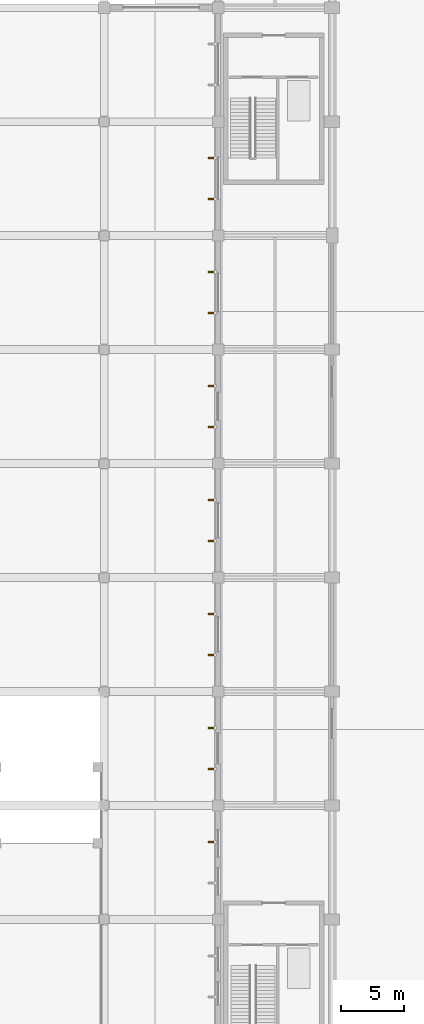
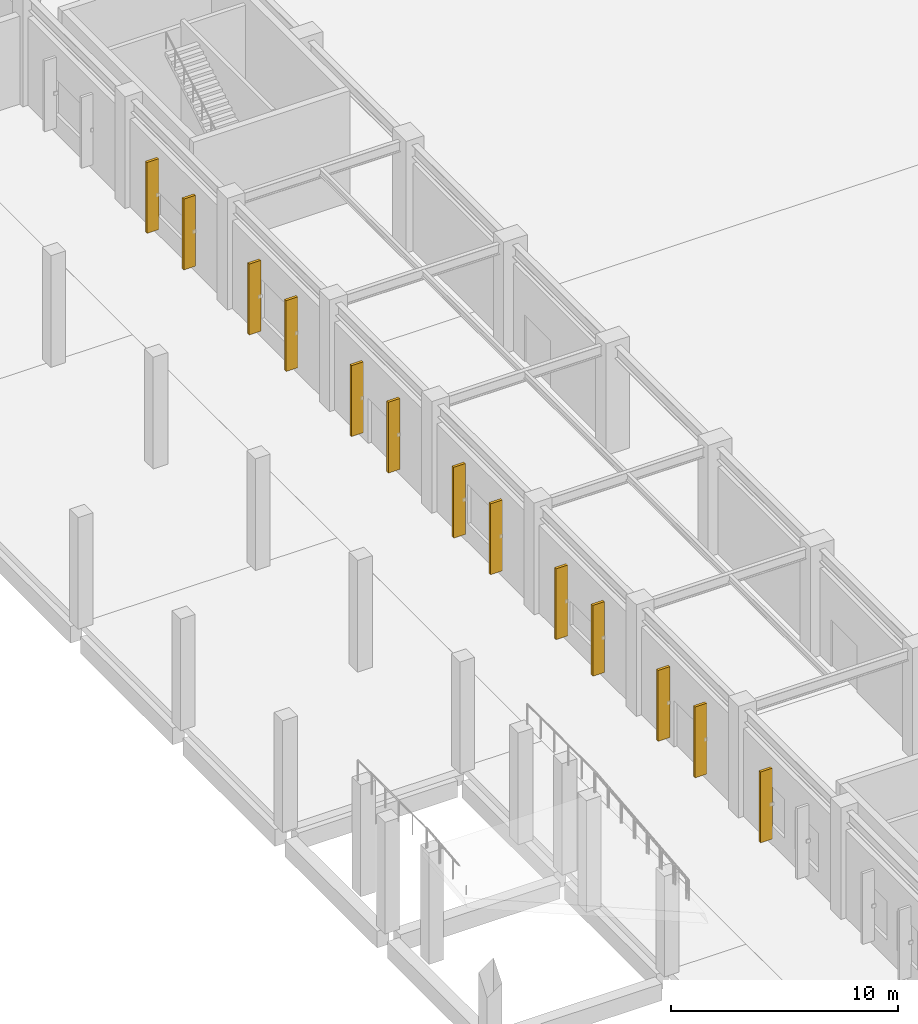
# One storey, part 81 of 91: 13 shading devices.
"""IFC4 building model written with IfcOpenShell, lengths in metres."""

from ifc_helpers import new_model, si_unit, direction, frame, origin, origin_2d, place, context, subcontext, project, spatial, rectangle, extrude, material, layer, layer_set, type_object, element, save


model = new_model("IFC4")

# Units and contexts
model_context = context("Model", 3, precision=1e-05, world=origin(), true_north=direction((0.0, 1.0)))
body_context = subcontext(model_context, "Body", "Model", "MODEL_VIEW")
ifc_project = project(units=[si_unit("LENGTHUNIT", "METRE"), si_unit("AREAUNIT", "SQUARE_METRE"), si_unit("VOLUMEUNIT", "CUBIC_METRE"), si_unit("PLANEANGLEUNIT", "RADIAN"), si_unit("MASSUNIT", "GRAM", prefix="KILO")], contexts=[model_context])

# Site, building, storey
site_placement = place(None, origin())
site = spatial("IfcSite", under=ifc_project, at=site_placement, CompositionType="ELEMENT")
building_placement = place(site_placement, origin())
building = spatial("IfcBuilding", under=site, at=building_placement, Name="Dornveld Trade and Exhibition Forum", CompositionType="ELEMENT")
storey_placement = place(building_placement, origin())
storey = spatial("IfcBuildingStorey", under=building, at=storey_placement, Name="L00", CompositionType="ELEMENT", Elevation=0.0)

# Shading devices
ifc_material = material(Name="Precast concrete C50/60", Category="concrete")
ifc_layer = layer(ifc_material, 0.139892578125)
ifc_layer_set = layer_set([ifc_layer], Name="Precast concrete C50/60")
shading_device_type = type_object("IfcShadingDeviceType", Name="SHD-FIN-600", PredefinedType="JALOUSIE", material=ifc_layer_set)
for number, where, z_axis, x_axis, name in (
    (1, (17.52001953125, 60.1201171875, 0.2998046875), (0.0, 0.0, 1.0), (0.0, -1.0, 0.0), "L00 vertical solar brise-soleil fin 35"),
    (2, (17.52001953125, 69.1201171875, 0.2998046875), (0.0, 0.0, 1.0), (0.0, -1.0, 0.0), "L00 vertical solar brise-soleil fin 43"),
    (3, (17.52001953125, 65.8798828125, 0.2998046875), (0.0, 0.0, 1.0), (0.0, -1.0, 0.0), "L00 vertical solar brise-soleil fin 44"),
    (4, (17.52001953125, 78.1201171875, 0.2998046875), (0.0, 0.0, 1.0), (0.0, -1.0, 0.0), "L00 vertical solar brise-soleil fin 51"),
    (5, (17.52001953125, 74.8798828125, 0.2998046875), (0.0, 0.0, 1.0), (0.0, -1.0, 0.0), "L00 vertical solar brise-soleil fin 52"),
    (6, (17.52001953125, 87.1201171875, 0.2998046875), (0.0, 0.0, 1.0), (0.0, -1.0, 0.0), "L00 vertical solar brise-soleil fin 59"),
    (7, (17.52001953125, 83.8798828125, 0.2998046875), (0.0, 0.0, 1.0), (0.0, -1.0, 0.0), "L00 vertical solar brise-soleil fin 60"),
    (8, (17.52001953125, 96.1201171875, 0.2998046875), (0.0, 0.0, 1.0), (0.0, -1.0, 0.0), "L00 vertical solar brise-soleil fin 67"),
    (9, (17.52001953125, 92.8798828125, 0.2998046875), (0.0, 0.0, 1.0), (0.0, -1.0, 0.0), "L00 vertical solar brise-soleil fin 68"),
    (10, (17.52001953125, 105.1201171875, 0.2998046875), (0.0, 0.0, 1.0), (0.0, -1.0, 0.0), "L00 vertical solar brise-soleil fin 75"),
    (11, (17.52001953125, 101.8798828125, 0.2998046875), (0.0, 0.0, 1.0), (0.0, -1.0, 0.0), "L00 vertical solar brise-soleil fin 76"),
    (12, (17.52001953125, 114.1201171875, 0.2998046875), (0.0, 0.0, 1.0), (0.0, -1.0, 0.0), "L00 vertical solar brise-soleil fin 81"),
    (13, (17.52001953125, 110.8798828125, 0.2998046875), (0.0, 0.0, 1.0), (0.0, -1.0, 0.0), "L00 vertical solar brise-soleil fin 82"),
):
    element("IfcShadingDevice", number, at=place(storey_placement, frame(where, z_axis=z_axis, x_axis=x_axis)), inside=storey, type_object=shading_device_type, Name=name, PredefinedType="JALOUSIE", context=body_context, shape_type="SweptSolid", body=[
        extrude(rectangle(XDim=0.139892578125, YDim=0.60009765625, at=origin_2d()), origin(), (0.0, 0.0, 1.0), 3.800048828125),
    ])

save(model, "model.ifc")
